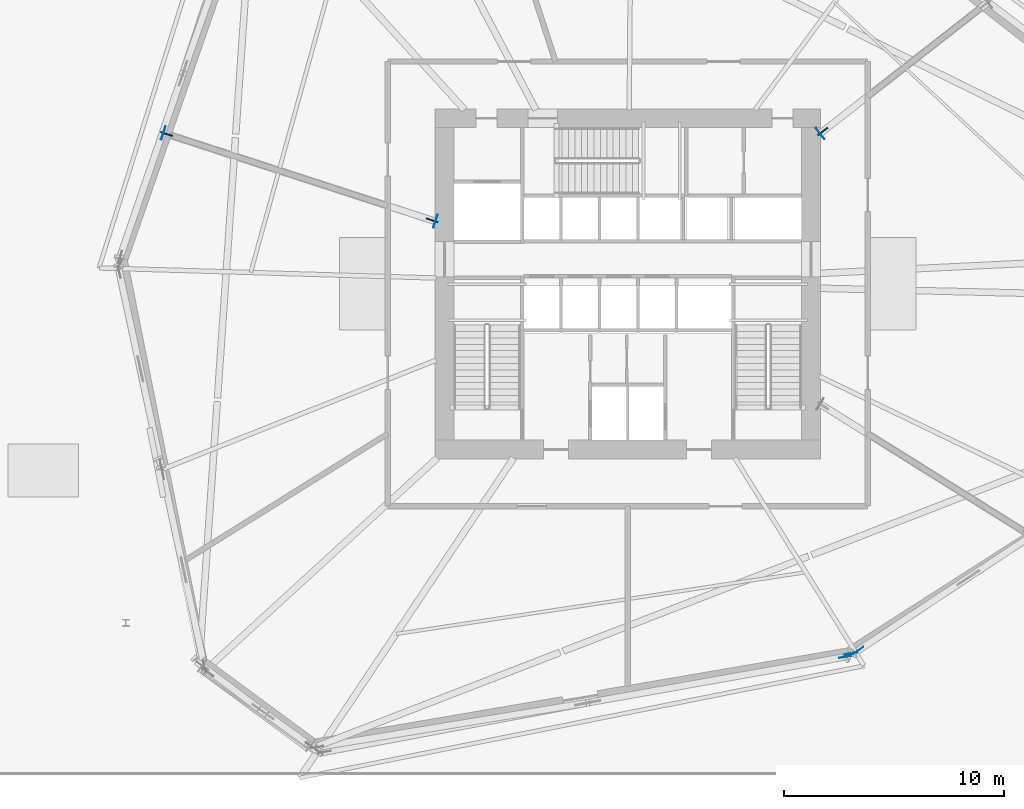
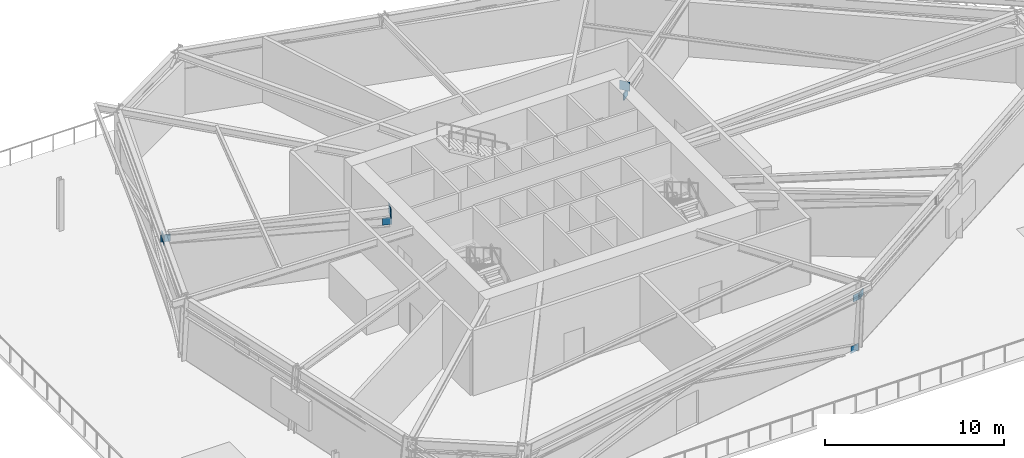
# One storey, part 10 of 20: 9 plates.
"""IFC4 building model written with IfcOpenShell, lengths in metres."""

from ifc_helpers import new_model, si_unit, direction, frame, origin, origin_2d, place, context, subcontext, project, spatial, rectangle, extrude, source, transform, mapped, material, type_object, element, save


model = new_model("IFC4")

# Units and contexts
model_context = context("Model", 3, precision=1e-05, world=origin(), true_north=direction((0.0, 1.0)))
body_context = subcontext(model_context, "Body", "Model", "MODEL_VIEW")
ifc_project = project(units=[si_unit("LENGTHUNIT", "METRE"), si_unit("AREAUNIT", "SQUARE_METRE"), si_unit("VOLUMEUNIT", "CUBIC_METRE"), si_unit("PLANEANGLEUNIT", "RADIAN"), si_unit("MASSUNIT", "GRAM", prefix="KILO")], contexts=[model_context])

# Site, building, storey
site_placement = place(None, origin())
site = spatial("IfcSite", under=ifc_project, at=site_placement, CompositionType="ELEMENT")
building_placement = place(site_placement, origin())
building = spatial("IfcBuilding", under=site, at=building_placement, Name="Olszyna Solenne Hotel", CompositionType="ELEMENT")
storey_placement = place(building_placement, frame((0.0, 0.0, 24.60009765625)))
storey = spatial("IfcBuildingStorey", under=building, at=storey_placement, Name="L05", CompositionType="ELEMENT", Elevation=24.60009765625)

# Plates
ifc_material_1 = material(Name="Steel S460M", Category="steel")
plate_type_1 = type_object("IfcPlateType", Name="GP-CAP2", PredefinedType="USERDEFINED", material=ifc_material_1)
shared_shape_1 = source(origin(), body_context, "Body", "SweptSolid", [
    extrude(rectangle(XDim=0.030029296875, YDim=0.6201171875, at=origin_2d()), origin(), (0.0, 0.0, 1.0), 0.6201171875),
])
for number, where, z_axis, x_axis, name in (
    (1, (46.73828125, 33.427001953125, 3.68994140625), (0.0, 0.0, 1.0), (0.788010753607, 0.615661475326, 0.0), "Hollow section end-cap plate GP-CAP2 CP-OC-OC-L05-02-1"),
    (2, (29.264404296875, 29.4384765625, 3.68994140625), (0.0, 0.0, 1.0), (-0.951056516295, 0.309016994375, 0.0), "Hollow section end-cap plate GP-CAP2 CP-OC-OC-L05-03-1"),
    (3, (16.906005859375, 33.453857421875, 3.68994140625), (0.0, 0.0, 1.0), (-0.951056516295, 0.309016994375, 0.0), "Hollow section end-cap plate GP-CAP2 CP-OC-OC-L05-03-2"),
):
    element("IfcPlate", number, at=place(storey_placement, frame(where, z_axis=z_axis, x_axis=x_axis)), inside=storey, type_object=plate_type_1, Name=name, ObjectType="GUSSET_PLATE", PredefinedType="USERDEFINED", context=body_context, shape_type="MappedRepresentation", body=[
        mapped(shared_shape_1, transform((0.0, 0.0, 0.0), x_axis=(1.0, 0.0, 0.0), y_axis=(0.0, 1.0, 0.0), z_axis=(0.0, 0.0, 1.0), scale=1.0)),
    ])
ifc_material_2 = material(Name="Steel S355J2", Category="steel")
plate_type_2 = type_object("IfcPlateType", Name="GP-ND2", PredefinedType="USERDEFINED", material=ifc_material_2)
shared_shape_2 = source(origin(), body_context, "Body", "SweptSolid", [
    extrude(rectangle(XDim=0.56005859375, YDim=0.02001953125, at=origin_2d()), origin(), (0.0, 0.0, 1.0), 0.47998046875),
])
for number, where, z_axis, x_axis, name in (
    (4, (48.141845703125, 9.809326171875, 3.159912109375), (0.0, 0.0, 1.0), (0.98293534915, 0.183951350613, 0.0), "Brace end connection gusset plate GP-ND2 EP-CH-L05-10-2"),
    (5, (47.882080078125, 9.652099609375, -0.18212890625), (0.0, 0.0, 1.0), (-0.984533772247, -0.175194895202, 0.0), "Brace end connection gusset plate GP-ND2 EP-BT-L05-10-2-1"),
    (6, (48.468994140625, 9.94189453125, 3.159912109375), (0.0, 0.0, 1.0), (0.833885822067, 0.551936985312, 0.0), "Brace end connection gusset plate GP-ND2 EP-CH-L05-11-1"),
):
    element("IfcPlate", number, at=place(storey_placement, frame(where, z_axis=z_axis, x_axis=x_axis)), inside=storey, type_object=plate_type_2, Name=name, ObjectType="GUSSET_PLATE", PredefinedType="USERDEFINED", context=body_context, shape_type="MappedRepresentation", body=[
        mapped(shared_shape_2, transform((0.0, 0.0, 0.0), x_axis=(1.0, 0.0, 0.0), y_axis=(0.0, 1.0, 0.0), z_axis=(0.0, 0.0, 1.0), scale=1.0)),
    ])
plate_type_3 = type_object("IfcPlateType", Name="GP-ND1", PredefinedType="USERDEFINED", material=ifc_material_1)
shared_shape_3 = source(origin(), body_context, "Body", "SweptSolid", [
    extrude(rectangle(XDim=0.56005859375, YDim=0.06005859375, at=origin_2d()), origin(), (0.0, 0.0, 1.0), 0.47998046875),
])
for number, where, z_axis, x_axis, name in (
    (7, (46.860107421875, 33.522216796875, 3.070068359375), (0.0, 0.0, 1.0), (0.788010753607, 0.615661475326, 0.0), "Brace end connection gusset plate GP-ND1 EP-OU-L05-02-1"),
    (8, (29.116943359375, 29.486083984375, 3.0673828125), (0.0, 0.0, 1.0), (-0.951056516295, 0.309016994375, 0.0), "Brace end connection gusset plate GP-ND1 EP-OU-L05-03-1"),
    (9, (17.05322265625, 33.406005859375, 3.75244140625), (0.0, 0.0, 1.0), (-0.951056516295, 0.309016994375, 0.0), "Brace end connection gusset plate GP-ND1 EP-OU-L05-03-2"),
):
    element("IfcPlate", number, at=place(storey_placement, frame(where, z_axis=z_axis, x_axis=x_axis)), inside=storey, type_object=plate_type_3, Name=name, ObjectType="GUSSET_PLATE", PredefinedType="USERDEFINED", context=body_context, shape_type="MappedRepresentation", body=[
        mapped(shared_shape_3, transform((0.0, 0.0, 0.0), x_axis=(1.0, 0.0, 0.0), y_axis=(0.0, 1.0, 0.0), z_axis=(0.0, 0.0, 1.0), scale=1.0)),
    ])

save(model, "model.ifc")
